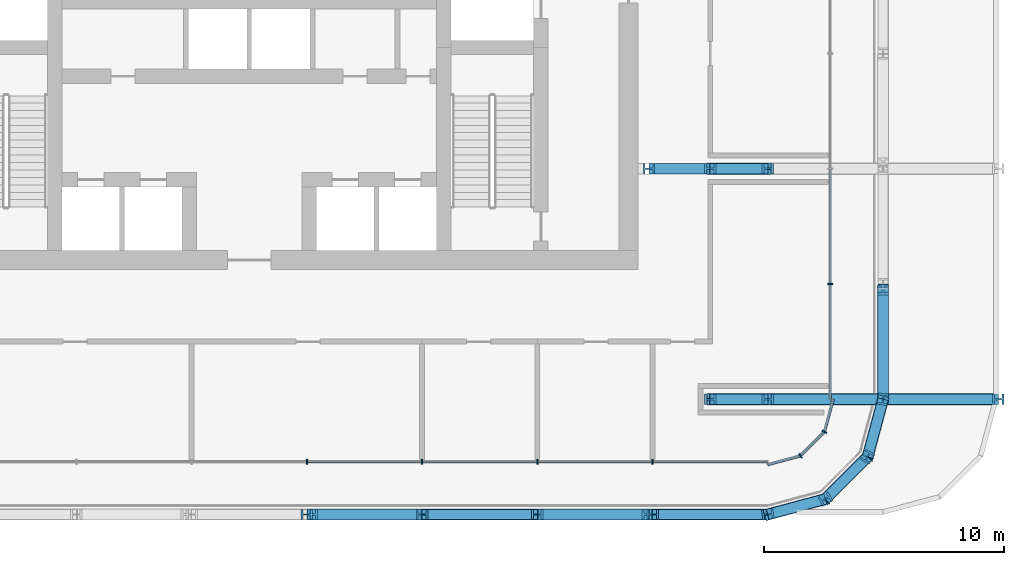
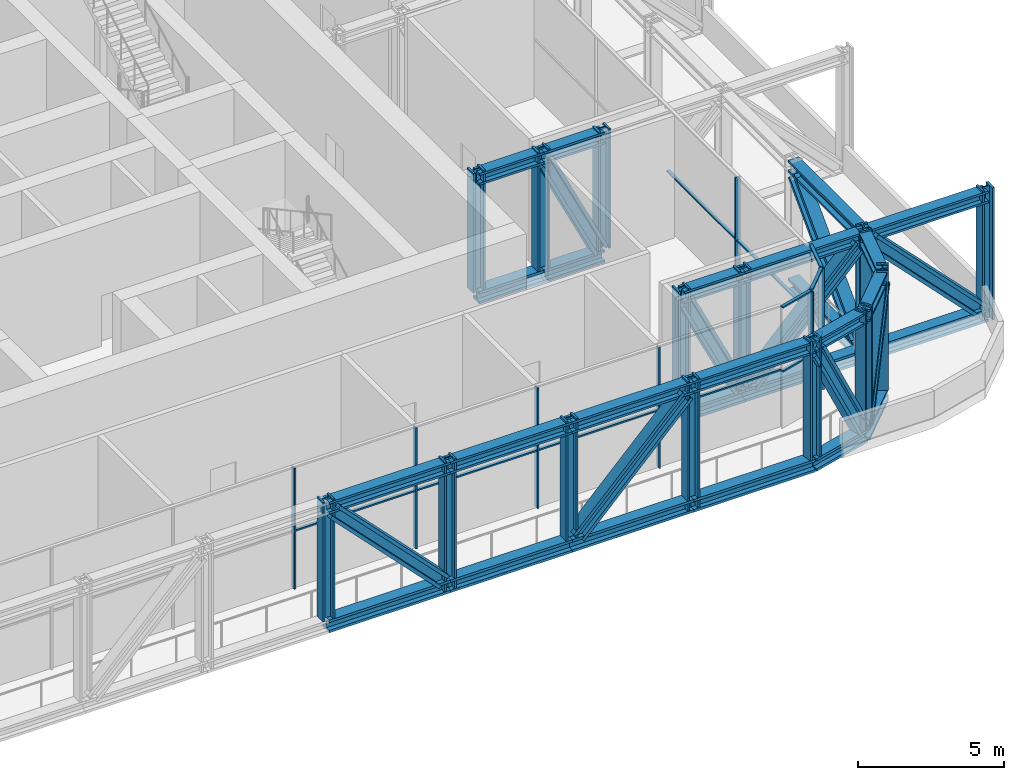
# One storey, part 7 of 25: 69 members, 3 elements without a shape of their own.
"""IFC4 building model written with IfcOpenShell, lengths in metres."""

from ifc_helpers import new_model, si_unit, direction, frame, origin, origin_2d, place, context, subcontext, project, spatial, rectangle, i_section, extrude, material, layer, layer_set, material_profile, profile_set, type_object, element, aggregate, save


model = new_model("IFC4")

# Units and contexts
model_context = context("Model", 3, precision=1e-05, world=origin(), true_north=direction((0.0, 1.0)))
body_context = subcontext(model_context, "Body", "Model", "MODEL_VIEW")
ifc_project = project(units=[si_unit("LENGTHUNIT", "METRE"), si_unit("AREAUNIT", "SQUARE_METRE"), si_unit("VOLUMEUNIT", "CUBIC_METRE"), si_unit("PLANEANGLEUNIT", "RADIAN"), si_unit("MASSUNIT", "GRAM", prefix="KILO")], contexts=[model_context])

# Site, building, storey
site_placement = place(None, origin())
site = spatial("IfcSite", under=ifc_project, at=site_placement, CompositionType="ELEMENT")
building_placement = place(site_placement, origin())
building = spatial("IfcBuilding", under=site, at=building_placement, Name="Madar Terraces", CompositionType="ELEMENT")
storey_placement = place(building_placement, frame((0.0, 0.0, 113.699951171875)))
storey = spatial("IfcBuildingStorey", under=building, at=storey_placement, Name="L29", CompositionType="ELEMENT", Elevation=113.699951171875)

# Members
ifc_material_1 = material(Name="Steel ASTM A913 Grade 65", Category="steel")
ifc_material_profile_1 = material_profile(ifc_material_1, i_section(OverallWidth=0.44189453125, OverallDepth=0.53076171875, WebThickness=0.06591796875, FlangeThickness=0.105712890625, at=origin_2d()), Name="W14x605")
ifc_profile_set_1 = profile_set([ifc_material_profile_1], Name="Steel ASTM A913 Grade 65")
member_type_1 = type_object("IfcMemberType", Name="BC4 W14x605", PredefinedType="CHORD", material=ifc_profile_set_1)
member_1_placement = place(storey_placement, frame((33.60009765625, 4.800048828125, -0.154541015625), z_axis=(1.0, 0.0, 0.0), x_axis=(0.0, 1.0, 0.0)))
element("IfcMember", 1, at=member_1_placement, inside=storey, type_object=member_type_1, Name="Exoskeleton truss ring bottom chord BC4", PredefinedType="CHORD", context=body_context, shape_type="SweptSolid", body=[
    extrude(i_section(OverallWidth=0.44189453125, OverallDepth=0.53076171875, WebThickness=0.06591796875, FlangeThickness=0.105712890625, at=origin_2d()), origin(), (0.0, 0.0, 1.0), 4.7998046875),
])
for number, where, z_axis, x_axis, name in (
    (2, (38.39990234375, 4.800048828125, -0.154541015625), (1.0, 0.0, 0.0), (0.0, 1.0, 0.0), "Exoskeleton truss ring bottom chord BC4"),
    (3, (43.199951171875, 4.800048828125, -0.154541015625), (1.0, 0.0, 0.0), (0.0, 1.0, 0.0), "Exoskeleton truss ring bottom chord BC4"),
    (4, (48.0, 4.800048828125, -0.154541015625), (1.0, 0.0, 0.0), (0.0, 1.0, 0.0), "Exoskeleton truss ring bottom chord BC4"),
):
    element("IfcMember", number, at=place(storey_placement, frame(where, z_axis=z_axis, x_axis=x_axis)), inside=storey, type_object=member_type_1, Name=name, PredefinedType="CHORD", context=body_context, shape_type="SweptSolid", body=[
        extrude(i_section(OverallWidth=0.44189453125, OverallDepth=0.53076171875, WebThickness=0.06591796875, FlangeThickness=0.105712890625, at=origin_2d()), origin(), (0.0, 0.0, 1.0), 4.800048828125),
    ])
for number, where, z_axis, x_axis, name in (
    (5, (52.800048828125, 4.800048828125, -0.154541015625), (0.965924366126, 0.258824494443, 0.0), (-0.258824494443, 0.965924366126, 0.0), "Exoskeleton truss ring bottom chord BC4"),
    (6, (55.199951171875, 5.443115234375, -0.154541015625), (0.707155907999, 0.70705765096, 0.0), (-0.70705765096, 0.707155907999, 0.0), "Exoskeleton truss ring bottom chord BC4"),
):
    element("IfcMember", number, at=place(storey_placement, frame(where, z_axis=z_axis, x_axis=x_axis)), inside=storey, type_object=member_type_1, Name=name, PredefinedType="CHORD", context=body_context, shape_type="SweptSolid", body=[
        extrude(i_section(OverallWidth=0.44189453125, OverallDepth=0.53076171875, WebThickness=0.06591796875, FlangeThickness=0.105712890625, at=origin_2d()), origin(), (0.0, 0.0, 1.0), 2.484619140625),
    ])
member_2_placement = place(storey_placement, frame((56.95703125, 7.199951171875, -0.154541015625), z_axis=(0.258799930484, 0.965930947833, 0.0), x_axis=(-0.965930947833, 0.258799930484, 0.0)))
element("IfcMember", 7, at=member_2_placement, inside=storey, type_object=member_type_1, Name="Exoskeleton truss ring bottom chord BC4", PredefinedType="CHORD", context=body_context, shape_type="SweptSolid", body=[
    extrude(i_section(OverallWidth=0.44189453125, OverallDepth=0.53076171875, WebThickness=0.06591796875, FlangeThickness=0.105712890625, at=origin_2d()), origin(), (0.0, 0.0, 1.0), 2.48486328125),
])
member_3_placement = place(storey_placement, frame((57.60009765625, 9.60009765625, -0.154541015625), z_axis=(0.0, 1.0, 0.0), x_axis=(-1.0, 0.0, 0.0)))
element("IfcMember", 8, at=member_3_placement, inside=storey, type_object=member_type_1, Name="Exoskeleton truss ring bottom chord BC4", PredefinedType="CHORD", context=body_context, shape_type="SweptSolid", body=[
    extrude(i_section(OverallWidth=0.44189453125, OverallDepth=0.53076171875, WebThickness=0.06591796875, FlangeThickness=0.105712890625, at=origin_2d()), origin(), (0.0, 0.0, 1.0), 4.7998046875),
])
for number, where, z_axis, x_axis, name in (
    (9, (62.39990234375, 9.60009765625, -0.154541015625), (-1.0, 0.0, 0.0), (0.0, -1.0, 0.0), "Exoskeleton truss cross E9.6 bottom chord BC4"),
    (10, (57.37890625, 9.60009765625, -0.154541015625), (-1.0, 0.0, 0.0), (0.0, -1.0, 0.0), "Exoskeleton truss cross E9.6 bottom chord BC4"),
):
    element("IfcMember", number, at=place(storey_placement, frame(where, z_axis=z_axis, x_axis=x_axis)), inside=storey, type_object=member_type_1, Name=name, PredefinedType="CHORD", context=body_context, shape_type="SweptSolid", body=[
        extrude(i_section(OverallWidth=0.44189453125, OverallDepth=0.53076171875, WebThickness=0.06591796875, FlangeThickness=0.105712890625, at=origin_2d()), origin(), (0.0, 0.0, 1.0), 4.578857421875),
    ])
for number, where, z_axis, x_axis, name in (
    (11, (52.800048828125, 9.60009765625, -0.154541015625), (-1.0, 0.0, 0.0), (0.0, -1.0, 0.0), "Exoskeleton truss cross E9.6 bottom chord BC4"),
    (12, (52.800048828125, 19.199951171875, -0.154541015625), (-1.0, 0.0, 0.0), (0.0, -1.0, 0.0), "Exoskeleton truss cross E19.2 bottom chord BC4"),
):
    element("IfcMember", number, at=place(storey_placement, frame(where, z_axis=z_axis, x_axis=x_axis)), inside=storey, type_object=member_type_1, Name=name, PredefinedType="CHORD", context=body_context, shape_type="SweptSolid", body=[
        extrude(i_section(OverallWidth=0.44189453125, OverallDepth=0.53076171875, WebThickness=0.06591796875, FlangeThickness=0.105712890625, at=origin_2d()), origin(), (0.0, 0.0, 1.0), 2.400146484375),
    ])
member_4_placement = place(storey_placement, frame((50.39990234375, 19.199951171875, -0.154541015625), z_axis=(-1.0, 0.0, 0.0), x_axis=(0.0, -1.0, 0.0)))
element("IfcMember", 13, at=member_4_placement, inside=storey, type_object=member_type_1, Name="Exoskeleton truss cross E19.2 bottom chord BC4", PredefinedType="CHORD", context=body_context, shape_type="SweptSolid", body=[
    extrude(i_section(OverallWidth=0.44189453125, OverallDepth=0.53076171875, WebThickness=0.06591796875, FlangeThickness=0.105712890625, at=origin_2d()), origin(), (0.0, 0.0, 1.0), 2.5498046875),
])

# Curtain wall, members
ifc_material_2 = material(Name="Glass, ceramic frit dark grey, with black aluminium frame", Category="aluminium")
ifc_layer = layer(ifc_material_2, 0.199951171875)
ifc_layer_set = layer_set([ifc_layer], Name="Facade curtain wall, tall glazing")
curtain_wall_type = type_object("IfcCurtainWallType", Name="Facade curtain wall, tall glazing", PredefinedType="NOTDEFINED", material=ifc_layer_set)
curtain_wall_1_placement = place(storey_placement, origin())
curtain_wall_1 = element("IfcCurtainWall", 14, at=curtain_wall_1_placement, inside=storey, type_object=curtain_wall_type, Name="Outer skin curtain wall south bay 1", PredefinedType="NOTDEFINED")
ifc_material_3 = material(Name="Aluminium, black anodised", Category="aluminium")
ifc_material_profile_2 = material_profile(ifc_material_3, rectangle(XDim=0.199951171875, YDim=0.06005859375, at=origin_2d()), Name="Facade mullion 60x200")
ifc_profile_set_2 = profile_set([ifc_material_profile_2], Name="Aluminium, black anodised")
member_type_2 = type_object("IfcMemberType", Name="Facade mullion 60x200", PredefinedType="MULLION", material=ifc_profile_set_2)
member_5_placement = place(storey_placement, frame((33.60009765625, 7.0, 0.0), z_axis=(0.0, 0.0, 1.0), x_axis=(0.0, 1.0, 0.0)))
member_5 = element("IfcMember", 15, at=member_5_placement, type_object=member_type_2, Name="Mullion 6", PredefinedType="MULLION", context=body_context, shape_type="SweptSolid", body=[
    extrude(rectangle(XDim=0.199951171875, YDim=0.06005859375, at=origin_2d()), origin(), (0.0, 0.0, 1.0), 5.0400390625),
])
member_6_placement = place(storey_placement, frame((38.39990234375, 7.0, 0.0), z_axis=(0.0, 0.0, 1.0), x_axis=(0.0, 1.0, 0.0)))
member_6 = element("IfcMember", 16, at=member_6_placement, type_object=member_type_2, Name="Mullion 7", PredefinedType="MULLION", context=body_context, shape_type="SweptSolid", body=[
    extrude(rectangle(XDim=0.199951171875, YDim=0.06005859375, at=origin_2d()), origin(), (0.0, 0.0, 1.0), 5.0400390625),
])
member_7_placement = place(storey_placement, frame((43.199951171875, 7.0, 0.0), z_axis=(0.0, 0.0, 1.0), x_axis=(0.0, 1.0, 0.0)))
member_7 = element("IfcMember", 17, at=member_7_placement, type_object=member_type_2, Name="Mullion 8", PredefinedType="MULLION", context=body_context, shape_type="SweptSolid", body=[
    extrude(rectangle(XDim=0.199951171875, YDim=0.06005859375, at=origin_2d()), origin(), (0.0, 0.0, 1.0), 5.0400390625),
])
member_8_placement = place(storey_placement, frame((48.0, 7.0, 0.0), z_axis=(0.0, 0.0, 1.0), x_axis=(0.0, 1.0, 0.0)))
member_8 = element("IfcMember", 18, at=member_8_placement, type_object=member_type_2, Name="Mullion 9", PredefinedType="MULLION", context=body_context, shape_type="SweptSolid", body=[
    extrude(rectangle(XDim=0.199951171875, YDim=0.06005859375, at=origin_2d()), origin(), (0.0, 0.0, 1.0), 5.0400390625),
])

# Curtain wall, member
curtain_wall_2_placement = place(storey_placement, origin())
curtain_wall_2 = element("IfcCurtainWall", 19, at=curtain_wall_2_placement, inside=storey, type_object=curtain_wall_type, Name="Outer skin curtain wall east bay 1", PredefinedType="NOTDEFINED")
member_9_placement = place(storey_placement, frame((55.39990234375, 14.39990234375, 0.0), z_axis=(0.0, 0.0, 1.0), x_axis=(-1.0, 0.0, 0.0)))
member_9 = element("IfcMember", 20, at=member_9_placement, type_object=member_type_2, Name="Mullion 1", PredefinedType="MULLION", context=body_context, shape_type="SweptSolid", body=[
    extrude(rectangle(XDim=0.199951171875, YDim=0.06005859375, at=origin_2d()), origin(), (0.0, 0.0, 1.0), 5.0400390625),
])

# Curtain wall, members
curtain_wall_3_placement = place(storey_placement, origin())
curtain_wall_3 = element("IfcCurtainWall", 21, at=curtain_wall_3_placement, inside=storey, type_object=curtain_wall_type, Name="Outer skin curtain wall south-east corner", PredefinedType="NOTDEFINED")
member_10_placement = place(storey_placement, frame((54.159912109375, 7.244384765625, 0.0), z_axis=(0.0, 0.0, 1.0), x_axis=(-0.500000029202, 0.866025386925, 0.0)))
member_10 = element("IfcMember", 22, at=member_10_placement, type_object=member_type_2, Name="Mullion 1", PredefinedType="MULLION", context=body_context, shape_type="SweptSolid", body=[
    extrude(rectangle(XDim=0.199951171875, YDim=0.06005859375, at=origin_2d()), origin(), (0.0, 0.0, 1.0), 5.0400390625),
])
member_11_placement = place(storey_placement, frame((55.155517578125, 8.239990234375, 0.0), z_axis=(0.0, 0.0, 1.0), x_axis=(-0.866025386925, 0.500000029202, 0.0)))
member_11 = element("IfcMember", 23, at=member_11_placement, type_object=member_type_2, Name="Mullion 2", PredefinedType="MULLION", context=body_context, shape_type="SweptSolid", body=[
    extrude(rectangle(XDim=0.199951171875, YDim=0.06005859375, at=origin_2d()), origin(), (0.0, 0.0, 1.0), 5.0400390625),
])

# Member
ifc_material_4 = material(Name="Aluminium, black anodised", Category="aluminium")
ifc_material_profile_3 = material_profile(ifc_material_4, rectangle(XDim=0.1201171875, YDim=0.06005859375, at=origin_2d()), Name="Facade transom 60x120")
ifc_profile_set_3 = profile_set([ifc_material_profile_3], Name="Aluminium, black anodised")
member_type_3 = type_object("IfcMemberType", Name="Facade transom 60x120", PredefinedType="USERDEFINED", material=ifc_profile_set_3)
member_12_placement = place(storey_placement, frame((33.6298828125, 7.0, 2.400146484375), z_axis=(1.0, 0.0, 0.0), x_axis=(0.0, 1.0, 0.0)))
member_12 = element("IfcMember", 24, at=member_12_placement, type_object=member_type_3, Name="Transom 8", ObjectType="TRANSOM", PredefinedType="USERDEFINED", context=body_context, shape_type="SweptSolid", body=[
    extrude(rectangle(XDim=0.1201171875, YDim=0.06005859375, at=origin_2d()), origin(), (0.0, 0.0, 1.0), 4.740234375),
])

member_13_placement = place(storey_placement, frame((38.429931640625, 7.0, 2.400146484375), z_axis=(1.0, 0.0, 0.0), x_axis=(0.0, 1.0, 0.0)))
member_13 = element("IfcMember", 25, at=member_13_placement, type_object=member_type_3, Name="Transom 9", ObjectType="TRANSOM", PredefinedType="USERDEFINED", context=body_context, shape_type="SweptSolid", body=[
    extrude(rectangle(XDim=0.1201171875, YDim=0.06005859375, at=origin_2d()), origin(), (0.0, 0.0, 1.0), 4.739990234375),
])

member_14_placement = place(storey_placement, frame((43.22998046875, 7.0, 2.400146484375), z_axis=(1.0, 0.0, 0.0), x_axis=(0.0, 1.0, 0.0)))
member_14 = element("IfcMember", 26, at=member_14_placement, type_object=member_type_3, Name="Transom 10", ObjectType="TRANSOM", PredefinedType="USERDEFINED", context=body_context, shape_type="SweptSolid", body=[
    extrude(rectangle(XDim=0.1201171875, YDim=0.06005859375, at=origin_2d()), origin(), (0.0, 0.0, 1.0), 4.739990234375),
])

member_15_placement = place(storey_placement, frame((48.030029296875, 7.0, 2.400146484375), z_axis=(1.0, 0.0, 0.0), x_axis=(0.0, 1.0, 0.0)))
member_15 = element("IfcMember", 27, at=member_15_placement, type_object=member_type_3, Name="Transom 11", ObjectType="TRANSOM", PredefinedType="USERDEFINED", context=body_context, shape_type="SweptSolid", body=[
    extrude(rectangle(XDim=0.1201171875, YDim=0.06005859375, at=origin_2d()), origin(), (0.0, 0.0, 1.0), 4.77001953125),
])

aggregate(curtain_wall_1, [member_5, member_6, member_7, member_8, member_12, member_13, member_14, member_15])

member_16_placement = place(storey_placement, frame((55.39990234375, 9.60009765625, 2.400146484375), z_axis=(0.0, 1.0, 0.0), x_axis=(-1.0, 0.0, 0.0)))
member_16 = element("IfcMember", 28, at=member_16_placement, type_object=member_type_3, Name="Transom 2", ObjectType="TRANSOM", PredefinedType="USERDEFINED", context=body_context, shape_type="SweptSolid", body=[
    extrude(rectangle(XDim=0.1201171875, YDim=0.06005859375, at=origin_2d()), origin(), (0.0, 0.0, 1.0), 4.77001953125),
])

member_17_placement = place(storey_placement, frame((55.39990234375, 14.429931640625, 2.400146484375), z_axis=(0.0, 1.0, 0.0), x_axis=(-1.0, 0.0, 0.0)))
member_17 = element("IfcMember", 29, at=member_17_placement, type_object=member_type_3, Name="Transom 3", ObjectType="TRANSOM", PredefinedType="USERDEFINED", context=body_context, shape_type="SweptSolid", body=[
    extrude(rectangle(XDim=0.1201171875, YDim=0.06005859375, at=origin_2d()), origin(), (0.0, 0.0, 1.0), 4.739990234375),
])

aggregate(curtain_wall_2, [member_9, member_16, member_17])

member_18_placement = place(storey_placement, frame((52.800048828125, 6.8798828125, 5.070068359375), z_axis=(0.965919580711, 0.258842352791, 0.0), x_axis=(-0.258842352791, 0.965919580711, 0.0)))
member_18 = element("IfcMember", 30, at=member_18_placement, type_object=member_type_3, Name="Transom 1", ObjectType="TRANSOM", PredefinedType="USERDEFINED", context=body_context, shape_type="SweptSolid", body=[
    extrude(rectangle(XDim=0.1201171875, YDim=0.06005859375, at=origin_2d()), origin(), (0.0, 0.0, 1.0), 1.3779296875),
])

member_19_placement = place(storey_placement, frame((52.800048828125, 6.8798828125, 2.400146484375), z_axis=(0.965919580711, 0.258842352791, 0.0), x_axis=(-0.258842352791, 0.965919580711, 0.0)))
member_19 = element("IfcMember", 31, at=member_19_placement, type_object=member_type_3, Name="Transom 2", ObjectType="TRANSOM", PredefinedType="USERDEFINED", context=body_context, shape_type="SweptSolid", body=[
    extrude(rectangle(XDim=0.1201171875, YDim=0.06005859375, at=origin_2d()), origin(), (0.0, 0.0, 1.0), 1.3779296875),
])

member_20_placement = place(storey_placement, frame((54.18115234375, 7.265625, 5.070068359375), z_axis=(0.707106781187, 0.707106781187, 0.0), x_axis=(-0.707106781187, 0.707106781187, 0.0)))
member_20 = element("IfcMember", 32, at=member_20_placement, type_object=member_type_3, Name="Transom 3", ObjectType="TRANSOM", PredefinedType="USERDEFINED", context=body_context, shape_type="SweptSolid", body=[
    extrude(rectangle(XDim=0.1201171875, YDim=0.06005859375, at=origin_2d()), origin(), (0.0, 0.0, 1.0), 1.347900390625),
])

member_21_placement = place(storey_placement, frame((54.18115234375, 7.265625, 2.400146484375), z_axis=(0.707106781187, 0.707106781187, 0.0), x_axis=(-0.707106781187, 0.707106781187, 0.0)))
member_21 = element("IfcMember", 33, at=member_21_placement, type_object=member_type_3, Name="Transom 4", ObjectType="TRANSOM", PredefinedType="USERDEFINED", context=body_context, shape_type="SweptSolid", body=[
    extrude(rectangle(XDim=0.1201171875, YDim=0.06005859375, at=origin_2d()), origin(), (0.0, 0.0, 1.0), 1.347900390625),
])

member_22_placement = place(storey_placement, frame((55.163330078125, 8.26904296875, 5.070068359375), z_axis=(0.258842352791, 0.965919580711, 0.0), x_axis=(-0.965919580711, 0.258842352791, 0.0)))
member_22 = element("IfcMember", 34, at=member_22_placement, type_object=member_type_3, Name="Transom 5", ObjectType="TRANSOM", PredefinedType="USERDEFINED", context=body_context, shape_type="SweptSolid", body=[
    extrude(rectangle(XDim=0.1201171875, YDim=0.06005859375, at=origin_2d()), origin(), (0.0, 0.0, 1.0), 1.3779296875),
])

member_23_placement = place(storey_placement, frame((55.163330078125, 8.26904296875, 2.400146484375), z_axis=(0.258842352791, 0.965919580711, 0.0), x_axis=(-0.965919580711, 0.258842352791, 0.0)))
member_23 = element("IfcMember", 35, at=member_23_placement, type_object=member_type_3, Name="Transom 6", ObjectType="TRANSOM", PredefinedType="USERDEFINED", context=body_context, shape_type="SweptSolid", body=[
    extrude(rectangle(XDim=0.1201171875, YDim=0.06005859375, at=origin_2d()), origin(), (0.0, 0.0, 1.0), 1.3779296875),
])

aggregate(curtain_wall_3, [member_10, member_18, member_19, member_11, member_20, member_21, member_22, member_23])

# Members
ifc_material_5 = material(Name="Steel ASTM A913 Grade 65", Category="steel")
ifc_material_profile_4 = material_profile(ifc_material_5, i_section(OverallWidth=0.431884765625, OverallDepth=0.497802734375, WebThickness=0.0556640625, FlangeThickness=0.0888671875, at=origin_2d()), Name="W14x500")
ifc_profile_set_4 = profile_set([ifc_material_profile_4], Name="Steel ASTM A913 Grade 65")
member_type_4 = type_object("IfcMemberType", Name="TC4 W14x500", PredefinedType="CHORD", material=ifc_profile_set_4)
member_24_placement = place(storey_placement, frame((33.60009765625, 4.800048828125, 4.78125), z_axis=(1.0, 0.0, 0.0), x_axis=(0.0, 1.0, 0.0)))
element("IfcMember", 36, at=member_24_placement, inside=storey, type_object=member_type_4, Name="Exoskeleton truss ring top chord TC4", PredefinedType="CHORD", context=body_context, shape_type="SweptSolid", body=[
    extrude(i_section(OverallWidth=0.431884765625, OverallDepth=0.497802734375, WebThickness=0.0556640625, FlangeThickness=0.0888671875, at=origin_2d()), origin(), (0.0, 0.0, 1.0), 4.7998046875),
])
for number, where, z_axis, x_axis, name in (
    (37, (38.39990234375, 4.800048828125, 4.78125), (1.0, 0.0, 0.0), (0.0, 1.0, 0.0), "Exoskeleton truss ring top chord TC4"),
    (38, (43.199951171875, 4.800048828125, 4.78125), (1.0, 0.0, 0.0), (0.0, 1.0, 0.0), "Exoskeleton truss ring top chord TC4"),
    (39, (48.0, 4.800048828125, 4.78125), (1.0, 0.0, 0.0), (0.0, 1.0, 0.0), "Exoskeleton truss ring top chord TC4"),
):
    element("IfcMember", number, at=place(storey_placement, frame(where, z_axis=z_axis, x_axis=x_axis)), inside=storey, type_object=member_type_4, Name=name, PredefinedType="CHORD", context=body_context, shape_type="SweptSolid", body=[
        extrude(i_section(OverallWidth=0.431884765625, OverallDepth=0.497802734375, WebThickness=0.0556640625, FlangeThickness=0.0888671875, at=origin_2d()), origin(), (0.0, 0.0, 1.0), 4.800048828125),
    ])
for number, where, z_axis, x_axis, name in (
    (40, (52.800048828125, 4.800048828125, 4.78125), (0.965924366126, 0.258824494443, 0.0), (-0.258824494443, 0.965924366126, 0.0), "Exoskeleton truss ring top chord TC4"),
    (41, (55.199951171875, 5.443115234375, 4.78125), (0.707155907999, 0.70705765096, 0.0), (-0.70705765096, 0.707155907999, 0.0), "Exoskeleton truss ring top chord TC4"),
):
    element("IfcMember", number, at=place(storey_placement, frame(where, z_axis=z_axis, x_axis=x_axis)), inside=storey, type_object=member_type_4, Name=name, PredefinedType="CHORD", context=body_context, shape_type="SweptSolid", body=[
        extrude(i_section(OverallWidth=0.431884765625, OverallDepth=0.497802734375, WebThickness=0.0556640625, FlangeThickness=0.0888671875, at=origin_2d()), origin(), (0.0, 0.0, 1.0), 2.484619140625),
    ])
member_25_placement = place(storey_placement, frame((56.95703125, 7.199951171875, 4.78125), z_axis=(0.258799930484, 0.965930947833, 0.0), x_axis=(-0.965930947833, 0.258799930484, 0.0)))
element("IfcMember", 42, at=member_25_placement, inside=storey, type_object=member_type_4, Name="Exoskeleton truss ring top chord TC4", PredefinedType="CHORD", context=body_context, shape_type="SweptSolid", body=[
    extrude(i_section(OverallWidth=0.431884765625, OverallDepth=0.497802734375, WebThickness=0.0556640625, FlangeThickness=0.0888671875, at=origin_2d()), origin(), (0.0, 0.0, 1.0), 2.48486328125),
])
member_26_placement = place(storey_placement, frame((57.60009765625, 9.60009765625, 4.78125), z_axis=(0.0, 1.0, 0.0), x_axis=(-1.0, 0.0, 0.0)))
element("IfcMember", 43, at=member_26_placement, inside=storey, type_object=member_type_4, Name="Exoskeleton truss ring top chord TC4", PredefinedType="CHORD", context=body_context, shape_type="SweptSolid", body=[
    extrude(i_section(OverallWidth=0.431884765625, OverallDepth=0.497802734375, WebThickness=0.0556640625, FlangeThickness=0.0888671875, at=origin_2d()), origin(), (0.0, 0.0, 1.0), 4.7998046875),
])
for number, where, z_axis, x_axis, name in (
    (44, (62.39990234375, 9.60009765625, 4.78125), (-1.0, 0.0, 0.0), (0.0, -1.0, 0.0), "Exoskeleton truss cross E9.6 top chord TC4"),
    (45, (57.384033203125, 9.60009765625, 4.78125), (-1.0, 0.0, 0.0), (0.0, -1.0, 0.0), "Exoskeleton truss cross E9.6 top chord TC4"),
):
    element("IfcMember", number, at=place(storey_placement, frame(where, z_axis=z_axis, x_axis=x_axis)), inside=storey, type_object=member_type_4, Name=name, PredefinedType="CHORD", context=body_context, shape_type="SweptSolid", body=[
        extrude(i_section(OverallWidth=0.431884765625, OverallDepth=0.497802734375, WebThickness=0.0556640625, FlangeThickness=0.0888671875, at=origin_2d()), origin(), (0.0, 0.0, 1.0), 4.583984375),
    ])
for number, where, z_axis, x_axis, name in (
    (46, (52.800048828125, 9.60009765625, 4.78125), (-1.0, 0.0, 0.0), (0.0, -1.0, 0.0), "Exoskeleton truss cross E9.6 top chord TC4"),
    (47, (52.800048828125, 19.199951171875, 4.78125), (-1.0, 0.0, 0.0), (0.0, -1.0, 0.0), "Exoskeleton truss cross E19.2 top chord TC4"),
):
    element("IfcMember", number, at=place(storey_placement, frame(where, z_axis=z_axis, x_axis=x_axis)), inside=storey, type_object=member_type_4, Name=name, PredefinedType="CHORD", context=body_context, shape_type="SweptSolid", body=[
        extrude(i_section(OverallWidth=0.431884765625, OverallDepth=0.497802734375, WebThickness=0.0556640625, FlangeThickness=0.0888671875, at=origin_2d()), origin(), (0.0, 0.0, 1.0), 2.400146484375),
    ])
member_27_placement = place(storey_placement, frame((50.39990234375, 19.199951171875, 4.78125), z_axis=(-1.0, 0.0, 0.0), x_axis=(0.0, -1.0, 0.0)))
element("IfcMember", 48, at=member_27_placement, inside=storey, type_object=member_type_4, Name="Exoskeleton truss cross E19.2 top chord TC4", PredefinedType="CHORD", context=body_context, shape_type="SweptSolid", body=[
    extrude(i_section(OverallWidth=0.431884765625, OverallDepth=0.497802734375, WebThickness=0.0556640625, FlangeThickness=0.0888671875, at=origin_2d()), origin(), (0.0, 0.0, 1.0), 2.5498046875),
])
ifc_material_6 = material(Name="Steel ASTM A913 Grade 65", Category="steel")
ifc_material_profile_5 = material_profile(ifc_material_6, i_section(OverallWidth=0.472412109375, OverallDepth=0.5791015625, WebThickness=0.094970703125, FlangeThickness=0.130126953125, at=origin_2d()), Name="W14x808")
ifc_profile_set_5 = profile_set([ifc_material_profile_5], Name="Steel ASTM A913 Grade 65")
member_type_5 = type_object("IfcMemberType", Name="TD4 W14x808", PredefinedType="BRACE", material=ifc_profile_set_5)
member_28_placement = place(storey_placement, frame((33.842041015625, 4.800048828125, 4.5322265625), z_axis=(0.697181267802, 0.0, -0.716894887571), x_axis=(0.0, 1.0, 0.0)))
element("IfcMember", 49, at=member_28_placement, inside=storey, type_object=member_type_5, Name="Exoskeleton truss ring diagonal TD4", PredefinedType="BRACE", context=body_context, shape_type="SweptSolid", body=[
    extrude(i_section(OverallWidth=0.472412109375, OverallDepth=0.5791015625, WebThickness=0.094970703125, FlangeThickness=0.130126953125, at=origin_2d()), origin(), (0.0, 0.0, 1.0), 6.16748046875),
])
member_29_placement = place(storey_placement, frame((43.458251953125, 4.800048828125, 0.11083984375), z_axis=(0.697160922414, 0.0, 0.716914672927), x_axis=(0.0, 1.0, 0.0)))
element("IfcMember", 50, at=member_29_placement, inside=storey, type_object=member_type_5, Name="Exoskeleton truss ring diagonal TD4", PredefinedType="BRACE", context=body_context, shape_type="SweptSolid", body=[
    extrude(i_section(OverallWidth=0.472412109375, OverallDepth=0.5791015625, WebThickness=0.094970703125, FlangeThickness=0.130126953125, at=origin_2d()), origin(), (0.0, 0.0, 1.0), 6.167236328125),
])
for number, where, z_axis, x_axis, name in (
    (51, (52.921142578125, 4.83251953125, 4.5322265625), (0.434324296433, 0.116349195467, -0.893210652782), (-0.258761672144, 0.965941197501, 0.0), "Exoskeleton truss ring diagonal TD4"),
    (52, (55.29443359375, 5.53759765625, 0.11083984375), (0.31797347352, 0.317924152367, 0.893206081193), (-0.70705193482, 0.707161623299, 0.0), "Exoskeleton truss ring diagonal TD4"),
    (53, (56.9892578125, 7.321044921875, 4.5322265625), (0.116397848783, 0.434321803553, -0.893205526045), (-0.965913775686, 0.258864014379, 0.0), "Exoskeleton truss ring diagonal TD4"),
):
    element("IfcMember", number, at=place(storey_placement, frame(where, z_axis=z_axis, x_axis=x_axis)), inside=storey, type_object=member_type_5, Name=name, PredefinedType="BRACE", context=body_context, shape_type="SweptSolid", body=[
        extrude(i_section(OverallWidth=0.472412109375, OverallDepth=0.5791015625, WebThickness=0.094970703125, FlangeThickness=0.130126953125, at=origin_2d()), origin(), (0.0, 0.0, 1.0), 4.949951171875),
    ])
for number, where, z_axis, x_axis, name in (
    (54, (57.60009765625, 9.858154296875, 0.11083984375), (0.0, 0.697181267802, 0.716894887571), (-1.0, 0.0, 0.0), "Exoskeleton truss ring diagonal TD4"),
    (55, (62.141845703125, 9.60009765625, 0.11083984375), (-0.697181267802, 0.0, 0.716894887571), (0.0, -1.0, 0.0), "Exoskeleton truss cross E9.6 diagonal TD4"),
    (56, (57.35791015625, 9.60009765625, 4.5322265625), (-0.697181267802, 0.0, -0.716894887571), (0.0, -1.0, 0.0), "Exoskeleton truss cross E9.6 diagonal TD4"),
):
    element("IfcMember", number, at=place(storey_placement, frame(where, z_axis=z_axis, x_axis=x_axis)), inside=storey, type_object=member_type_5, Name=name, PredefinedType="BRACE", context=body_context, shape_type="SweptSolid", body=[
        extrude(i_section(OverallWidth=0.472412109375, OverallDepth=0.5791015625, WebThickness=0.094970703125, FlangeThickness=0.130126953125, at=origin_2d()), origin(), (0.0, 0.0, 1.0), 6.16748046875),
    ])
for number, where, z_axis, x_axis, name in (
    (57, (52.6708984375, 9.60009765625, 0.11083984375), (-0.43729423743, 0.0, 0.899318491921), (0.0, -1.0, 0.0), "Exoskeleton truss cross E9.6 diagonal TD4"),
    (58, (52.6708984375, 19.199951171875, 0.11083984375), (-0.43729423743, 0.0, 0.899318491921), (0.0, -1.0, 0.0), "Exoskeleton truss cross E19.2 diagonal TD4"),
):
    element("IfcMember", number, at=place(storey_placement, frame(where, z_axis=z_axis, x_axis=x_axis)), inside=storey, type_object=member_type_5, Name=name, PredefinedType="BRACE", context=body_context, shape_type="SweptSolid", body=[
        extrude(i_section(OverallWidth=0.472412109375, OverallDepth=0.5791015625, WebThickness=0.094970703125, FlangeThickness=0.130126953125, at=origin_2d()), origin(), (0.0, 0.0, 1.0), 4.916259765625),
    ])
ifc_material_7 = material(Name="Steel ASTM A913 Grade 65", Category="steel")
ifc_material_profile_6 = material_profile(ifc_material_7, i_section(OverallWidth=0.424072265625, OverallDepth=0.47509765625, WebThickness=0.0478515625, FlangeThickness=0.0771484375, at=origin_2d()), Name="W14x426")
ifc_profile_set_6 = profile_set([ifc_material_profile_6], Name="Steel ASTM A913 Grade 65")
member_type_6 = type_object("IfcMemberType", Name="TV4 W14x426", PredefinedType="POST", material=ifc_profile_set_6)
member_30_placement = place(storey_placement, frame((33.60009765625, 4.800048828125, 0.11083984375), z_axis=(0.0, 0.0, 1.0), x_axis=(0.0, 1.0, 0.0)))
element("IfcMember", 59, at=member_30_placement, inside=storey, type_object=member_type_6, Name="Exoskeleton truss ring post TV4", PredefinedType="POST", context=body_context, shape_type="SweptSolid", body=[
    extrude(i_section(OverallWidth=0.424072265625, OverallDepth=0.47509765625, WebThickness=0.0478515625, FlangeThickness=0.0771484375, at=origin_2d()), origin(), (0.0, 0.0, 1.0), 4.9892578125),
])
member_31_placement = place(storey_placement, frame((38.39990234375, 4.800048828125, -0.419921875), z_axis=(0.0, 0.0, 1.0), x_axis=(0.0, 1.0, 0.0)))
element("IfcMember", 60, at=member_31_placement, inside=storey, type_object=member_type_6, Name="Exoskeleton truss ring post TV4", PredefinedType="POST", context=body_context, shape_type="SweptSolid", body=[
    extrude(i_section(OverallWidth=0.424072265625, OverallDepth=0.47509765625, WebThickness=0.0478515625, FlangeThickness=0.0771484375, at=origin_2d()), origin(), (0.0, 0.0, 1.0), 5.52001953125),
])
member_32_placement = place(storey_placement, frame((43.199951171875, 4.800048828125, 0.11083984375), z_axis=(0.0, 0.0, 1.0), x_axis=(0.0, 1.0, 0.0)))
element("IfcMember", 61, at=member_32_placement, inside=storey, type_object=member_type_6, Name="Exoskeleton truss ring post TV4", PredefinedType="POST", context=body_context, shape_type="SweptSolid", body=[
    extrude(i_section(OverallWidth=0.424072265625, OverallDepth=0.47509765625, WebThickness=0.0478515625, FlangeThickness=0.0771484375, at=origin_2d()), origin(), (0.0, 0.0, 1.0), 4.9892578125),
])
member_33_placement = place(storey_placement, frame((48.0, 4.800048828125, -0.419921875), z_axis=(0.0, 0.0, 1.0), x_axis=(0.0, 1.0, 0.0)))
element("IfcMember", 62, at=member_33_placement, inside=storey, type_object=member_type_6, Name="Exoskeleton truss ring post TV4", PredefinedType="POST", context=body_context, shape_type="SweptSolid", body=[
    extrude(i_section(OverallWidth=0.424072265625, OverallDepth=0.47509765625, WebThickness=0.0478515625, FlangeThickness=0.0771484375, at=origin_2d()), origin(), (0.0, 0.0, 1.0), 5.52001953125),
])
for number, where, z_axis, x_axis, name in (
    (63, (52.800048828125, 4.800048828125, 0.11083984375), (0.0, 0.0, 1.0), (-0.130526174916, 0.991444863652, 0.0), "Exoskeleton truss ring post TV4"),
    (64, (55.199951171875, 5.443115234375, 0.11083984375), (0.0, 0.0, 1.0), (-0.499999984885, 0.866025412511, 0.0), "Exoskeleton truss ring post TV4"),
    (65, (56.95703125, 7.199951171875, 0.11083984375), (0.0, 0.0, 1.0), (-0.866025412511, 0.499999984885, 0.0), "Exoskeleton truss ring post TV4"),
    (66, (57.60009765625, 9.60009765625, 0.11083984375), (0.0, 0.0, 1.0), (-0.991444863652, 0.130526174916, 0.0), "Exoskeleton truss ring post TV4"),
):
    element("IfcMember", number, at=place(storey_placement, frame(where, z_axis=z_axis, x_axis=x_axis)), inside=storey, type_object=member_type_6, Name=name, PredefinedType="POST", context=body_context, shape_type="SweptSolid", body=[
        extrude(i_section(OverallWidth=0.424072265625, OverallDepth=0.47509765625, WebThickness=0.0478515625, FlangeThickness=0.0771484375, at=origin_2d()), origin(), (0.0, 0.0, 1.0), 4.9892578125),
    ])
member_34_placement = place(storey_placement, frame((62.39990234375, 9.60009765625, -0.419921875), z_axis=(0.0, 0.0, 1.0), x_axis=(0.0, 1.0, 0.0)))
element("IfcMember", 67, at=member_34_placement, inside=storey, type_object=member_type_6, Name="Exoskeleton truss cross E9.6 post TV4", PredefinedType="POST", context=body_context, shape_type="SweptSolid", body=[
    extrude(i_section(OverallWidth=0.424072265625, OverallDepth=0.47509765625, WebThickness=0.0478515625, FlangeThickness=0.0771484375, at=origin_2d()), origin(), (0.0, 0.0, 1.0), 5.52001953125),
])
for number, where, z_axis, x_axis, name in (
    (68, (52.800048828125, 9.60009765625, 0.11083984375), (0.0, 0.0, 1.0), (0.0, 1.0, 0.0), "Exoskeleton truss cross E9.6 post TV4"),
    (69, (50.39990234375, 9.60009765625, 0.11083984375), (0.0, 0.0, 1.0), (0.0, 1.0, 0.0), "Exoskeleton truss cross E9.6 post TV4"),
    (70, (52.800048828125, 19.199951171875, 0.11083984375), (0.0, 0.0, 1.0), (0.0, 1.0, 0.0), "Exoskeleton truss cross E19.2 post TV4"),
    (71, (50.39990234375, 19.199951171875, 0.11083984375), (0.0, 0.0, 1.0), (0.0, 1.0, 0.0), "Exoskeleton truss cross E19.2 post TV4"),
    (72, (47.85009765625, 19.199951171875, 0.11083984375), (0.0, 0.0, 1.0), (0.0, 1.0, 0.0), "Exoskeleton truss cross E19.2 post TV4"),
):
    element("IfcMember", number, at=place(storey_placement, frame(where, z_axis=z_axis, x_axis=x_axis)), inside=storey, type_object=member_type_6, Name=name, PredefinedType="POST", context=body_context, shape_type="SweptSolid", body=[
        extrude(i_section(OverallWidth=0.424072265625, OverallDepth=0.47509765625, WebThickness=0.0478515625, FlangeThickness=0.0771484375, at=origin_2d()), origin(), (0.0, 0.0, 1.0), 4.9892578125),
    ])

save(model, "model.ifc")
